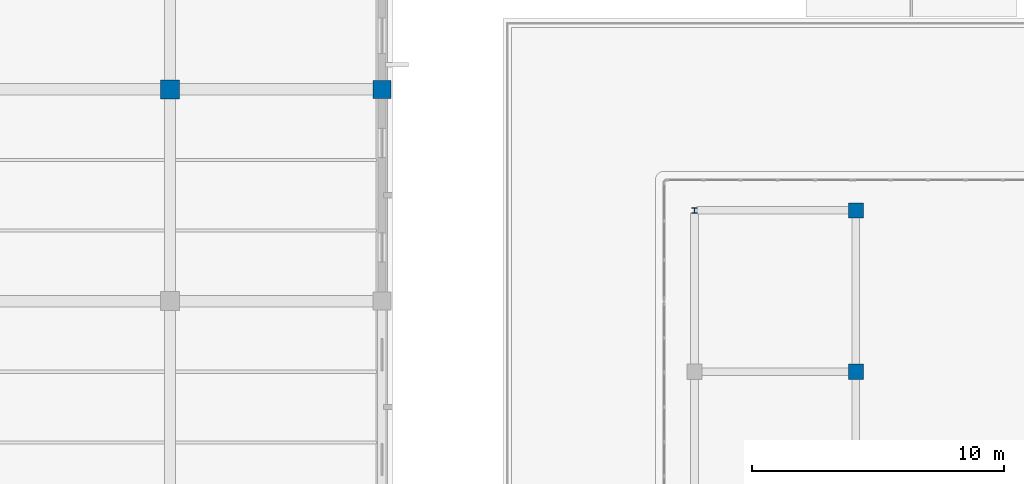
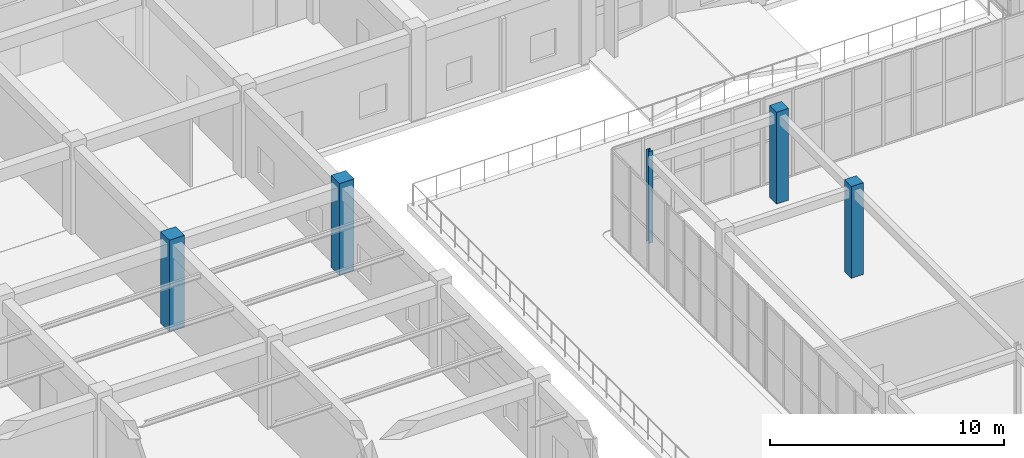
# One storey, part 8 of 158: 5 columns.
"""IFC4 building model written with IfcOpenShell, lengths in metres."""

from ifc_helpers import new_model, si_unit, direction, frame, origin, origin_2d, place, context, subcontext, project, spatial, rectangle, i_section, extrude, material, material_profile, profile_set, type_object, element, save


model = new_model("IFC4")

# Units and contexts
model_context = context("Model", 3, precision=1e-05, world=origin(), true_north=direction((0.0, 1.0)))
body_context = subcontext(model_context, "Body", "Model", "MODEL_VIEW")
ifc_project = project(units=[si_unit("LENGTHUNIT", "METRE"), si_unit("AREAUNIT", "SQUARE_METRE"), si_unit("VOLUMEUNIT", "CUBIC_METRE"), si_unit("PLANEANGLEUNIT", "RADIAN"), si_unit("MASSUNIT", "GRAM", prefix="KILO")], contexts=[model_context])

# Site, building, storey
site_placement = place(None, origin())
site = spatial("IfcSite", under=ifc_project, at=site_placement, CompositionType="ELEMENT")
building_placement = place(site_placement, origin())
building = spatial("IfcBuilding", under=site, at=building_placement, Name="Trelvath General Hospital", CompositionType="ELEMENT")
storey_placement = place(building_placement, frame((0.0, 0.0, 8.10009765625)))
storey = spatial("IfcBuildingStorey", under=building, at=storey_placement, Name="L02", CompositionType="ELEMENT", Elevation=8.10009765625)

# Columns
ifc_material_1 = material(Name="Concrete C40/50", Category="concrete")
ifc_material_profile_1 = material_profile(ifc_material_1, rectangle(XDim=0.60009765625, YDim=0.60009765625, at=origin_2d()), Name="RC600x600")
ifc_profile_set_1 = profile_set([ifc_material_profile_1], Name="Concrete C40/50")
column_type_1 = type_object("IfcColumnType", Name="Column RC600", PredefinedType="COLUMN", material=ifc_profile_set_1)
for number, where, z_axis, x_axis, name in (
    (1, (60.800048828125, 72.800048828125, 0.0), (0.0, 0.0, 1.0), (1.0, 0.0, 0.0), "Cube Interior Column CC-W19 L02"),
    (2, (60.800048828125, 79.199951171875, 0.0), (0.0, 0.0, 1.0), (1.0, 0.0, 0.0), "Cube Interior Column CC-W20 L02"),
):
    element("IfcColumn", number, at=place(storey_placement, frame(where, z_axis=z_axis, x_axis=x_axis)), inside=storey, type_object=column_type_1, Name=name, PredefinedType="COLUMN", context=body_context, shape_type="SweptSolid", body=[
        extrude(rectangle(XDim=0.60009765625, YDim=0.60009765625, at=origin_2d()), origin(), (0.0, 0.0, 1.0), 4.7998046875),
    ])
ifc_material_2 = material(Name="Concrete C40/50", Category="concrete")
ifc_material_profile_2 = material_profile(ifc_material_2, rectangle(XDim=0.719970703125, YDim=0.719970703125, at=origin_2d()), Name="RC720x720")
ifc_profile_set_2 = profile_set([ifc_material_profile_2], Name="Concrete C40/50")
column_type_2 = type_object("IfcColumnType", Name="Column RC720", PredefinedType="COLUMN", material=ifc_profile_set_2)
column_1_placement = place(storey_placement, frame((42.0, 84.0, 0.0), z_axis=(0.0, 0.0, 1.0), x_axis=(1.0, 0.0, 0.0)))
element("IfcColumn", 3, at=column_1_placement, inside=storey, type_object=column_type_2, Name="Column C-6K L02", PredefinedType="COLUMN", context=body_context, shape_type="SweptSolid", body=[
    extrude(rectangle(XDim=0.719970703125, YDim=0.719970703125, at=origin_2d()), origin(), (0.0, 0.0, 1.0), 4.7998046875),
])
ifc_material_3 = material(Name="Concrete C40/50", Category="concrete")
ifc_material_profile_3 = material_profile(ifc_material_3, rectangle(XDim=0.75, YDim=0.75, at=origin_2d()), Name="RC750x750")
ifc_profile_set_3 = profile_set([ifc_material_profile_3], Name="Concrete C40/50")
column_type_3 = type_object("IfcColumnType", Name="Column RC750", PredefinedType="COLUMN", material=ifc_profile_set_3)
column_2_placement = place(storey_placement, frame((33.60009765625, 84.0, 0.0), z_axis=(0.0, 0.0, 1.0), x_axis=(1.0, 0.0, 0.0)))
element("IfcColumn", 4, at=column_2_placement, inside=storey, type_object=column_type_3, Name="Column C-5K L02", PredefinedType="COLUMN", context=body_context, shape_type="SweptSolid", body=[
    extrude(rectangle(XDim=0.75, YDim=0.75, at=origin_2d()), origin(), (0.0, 0.0, 1.0), 4.7998046875),
])
ifc_material_4 = material(Name="Steel S355", Category="steel")
ifc_material_profile_4 = material_profile(ifc_material_4, i_section(OverallWidth=0.219970703125, OverallDepth=0.219970703125, WebThickness=0.009521484375, FlangeThickness=0.01611328125, at=origin_2d()), Name="HEB220")
ifc_profile_set_4 = profile_set([ifc_material_profile_4], Name="Steel S355")
column_type_4 = type_object("IfcColumnType", Name="CubePost HEB220", PredefinedType="COLUMN", material=ifc_profile_set_4)
column_3_placement = place(storey_placement, frame((54.39990234375, 79.199951171875, 0.0), z_axis=(0.0, 0.0, 1.0), x_axis=(1.0, 0.0, 0.0)))
element("IfcColumn", 5, at=column_3_placement, inside=storey, type_object=column_type_4, Name="Cube Interior Column CC-W15 L02", PredefinedType="COLUMN", context=body_context, shape_type="SweptSolid", body=[
    extrude(i_section(OverallWidth=0.219970703125, OverallDepth=0.219970703125, WebThickness=0.009521484375, FlangeThickness=0.01611328125, at=origin_2d()), origin(), (0.0, 0.0, 1.0), 4.7998046875),
])

save(model, "model.ifc")
